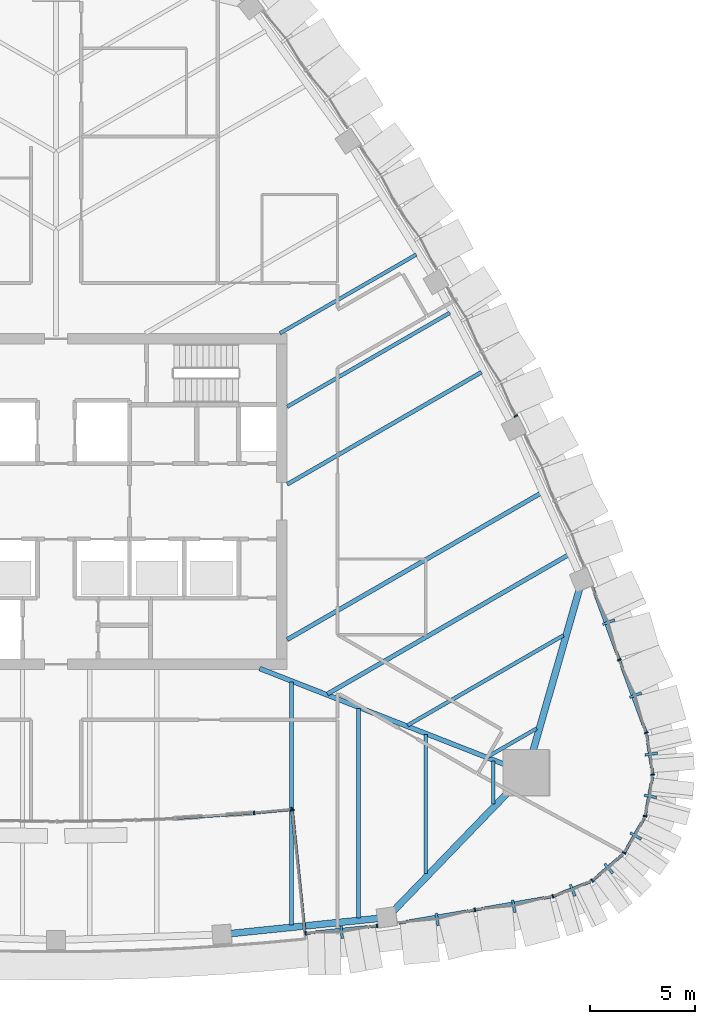
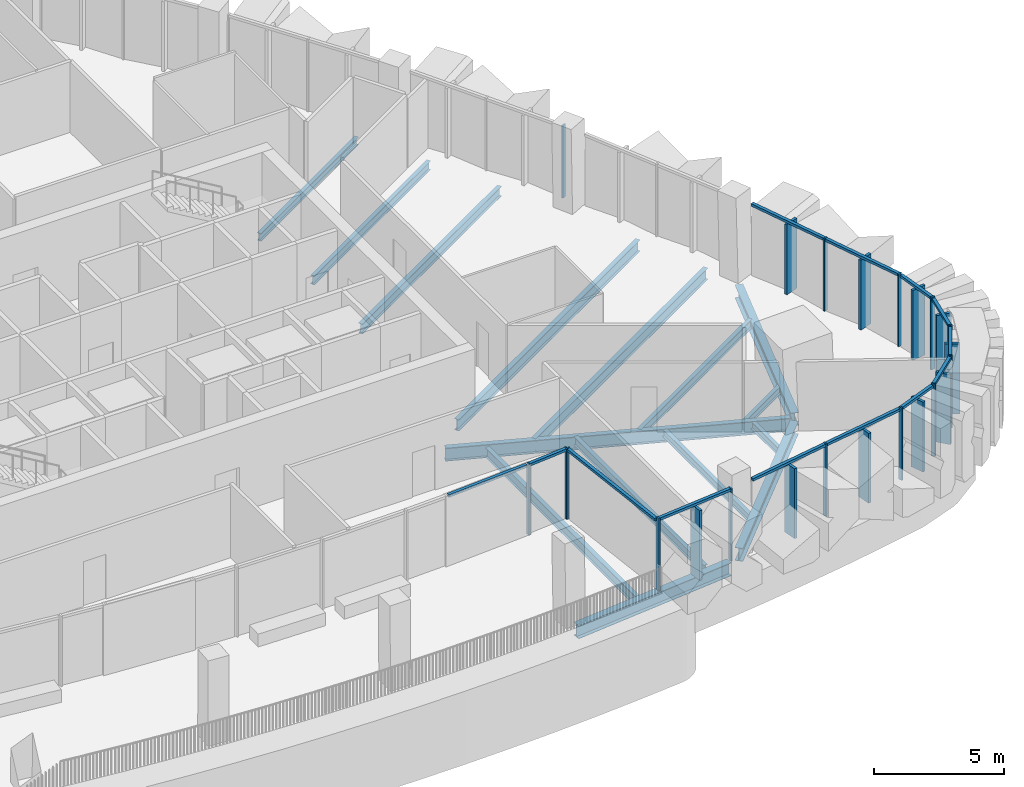
# One storey, part 4 of 22: 37 members, 15 beams, 12 elements without a shape of their own.
"""IFC4 building model written with IfcOpenShell, lengths in metres."""

from ifc_helpers import new_model, si_unit, direction, frame, origin, origin_2d, place, context, subcontext, project, spatial, rectangle, i_section, extrude, material, layer, layer_set, material_profile, profile_set, type_object, element, aggregate, save


model = new_model("IFC4")

# Units and contexts
model_context = context("Model", 3, precision=1e-05, world=origin(), true_north=direction((0.0, 1.0)))
body_context = subcontext(model_context, "Body", "Model", "MODEL_VIEW")
ifc_project = project(units=[si_unit("LENGTHUNIT", "METRE"), si_unit("AREAUNIT", "SQUARE_METRE"), si_unit("VOLUMEUNIT", "CUBIC_METRE"), si_unit("PLANEANGLEUNIT", "RADIAN"), si_unit("MASSUNIT", "GRAM", prefix="KILO")], contexts=[model_context])

# Site, building, storey
site_placement = place(None, origin())
site = spatial("IfcSite", under=ifc_project, at=site_placement, CompositionType="ELEMENT")
building_placement = place(site_placement, origin())
building = spatial("IfcBuilding", under=site, at=building_placement, Name="Sierra Prisma Convention Tower", CompositionType="ELEMENT")
storey_placement = place(building_placement, frame((0.0, 0.0, 227.0)))
storey = spatial("IfcBuildingStorey", under=building, at=storey_placement, Name="L50", CompositionType="ELEMENT", Elevation=227.0)

# Curtain wall, member
ifc_material_1 = material(Name="Aluminium and glass curtain wall", Category="aluminium")
ifc_layer_1 = layer(ifc_material_1, 0.179931640625)
ifc_layer_set_1 = layer_set([ifc_layer_1], Name="CW-2 Faceted crystal curtain wall")
curtain_wall_type_1 = type_object("IfcCurtainWallType", Name="CW-2 Faceted crystal curtain wall", PredefinedType="NOTDEFINED", material=ifc_layer_set_1)
curtain_wall_1_placement = place(storey_placement, origin())
curtain_wall_1 = element("IfcCurtainWall", 1, at=curtain_wall_1_placement, inside=storey, type_object=curtain_wall_type_1, Name="CW-2 S5b L50", PredefinedType="NOTDEFINED")
ifc_material_2 = material(Name="Aluminium 6063-T6 bronze anodised", Category="aluminium")
ifc_material_profile_1 = material_profile(ifc_material_2, rectangle(XDim=0.1201171875, YDim=0.60009765625, at=origin_2d()), Name="ALU RIDGE BLADE 120x600")
ifc_profile_set_1 = profile_set([ifc_material_profile_1], Name="Aluminium 6063-T6 bronze anodised")
member_type_1 = type_object("IfcMemberType", Name="CW hip bronze", PredefinedType="MULLION", material=ifc_profile_set_1)
member_1_placement = place(storey_placement, frame((13.594482421875, -20.52001953125, 0.0), z_axis=(0.0, 0.0, 1.0), x_axis=(0.994787924498, 0.10196560829, 0.0)))
member_1 = element("IfcMember", 2, at=member_1_placement, type_object=member_type_1, Name="CW-2 ridge S5b.1", PredefinedType="MULLION", context=body_context, shape_type="SweptSolid", body=[
    extrude(rectangle(XDim=0.1201171875, YDim=0.60009765625, at=origin_2d()), origin(), (0.0, 0.0, 1.0), 3.280029296875),
])

# Curtain wall, members
curtain_wall_2_placement = place(storey_placement, origin())
curtain_wall_2 = element("IfcCurtainWall", 3, at=curtain_wall_2_placement, inside=storey, type_object=curtain_wall_type_1, Name="CW-2 S6 L50", PredefinedType="NOTDEFINED")
member_2_placement = place(storey_placement, frame((18.136962890625, -19.9052734375, 0.0), z_axis=(0.0, 0.0, 1.0), x_axis=(0.985544380626, 0.169417454286, 0.0)))
member_2 = element("IfcMember", 4, at=member_2_placement, type_object=member_type_1, Name="CW-2 ridge S6.1", PredefinedType="MULLION", context=body_context, shape_type="SweptSolid", body=[
    extrude(rectangle(XDim=0.1201171875, YDim=0.60009765625, at=origin_2d()), origin(), (0.0, 0.0, 1.0), 3.280029296875),
])
member_3_placement = place(storey_placement, frame((21.787353515625, -19.27783203125, 0.0), z_axis=(0.0, 0.0, 1.0), x_axis=(0.985544380626, 0.169417454286, 0.0)))
member_3 = element("IfcMember", 5, at=member_3_placement, type_object=member_type_1, Name="CW-2 ridge S6.2", PredefinedType="MULLION", context=body_context, shape_type="SweptSolid", body=[
    extrude(rectangle(XDim=0.1201171875, YDim=0.60009765625, at=origin_2d()), origin(), (0.0, 0.0, 1.0), 3.280029296875),
])

# Curtain wall, member
curtain_wall_3_placement = place(storey_placement, origin())
curtain_wall_3 = element("IfcCurtainWall", 6, at=curtain_wall_3_placement, inside=storey, type_object=curtain_wall_type_1, Name="CW-2 SE1 L50", PredefinedType="NOTDEFINED")
member_4_placement = place(storey_placement, frame((24.58837890625, -18.518798828125, 0.0), z_axis=(0.0, 0.0, 1.0), x_axis=(0.931286211218, 0.364288337441, 0.0)))
member_4 = element("IfcMember", 7, at=member_4_placement, type_object=member_type_1, Name="CW-2 ridge SE1.1", PredefinedType="MULLION", context=body_context, shape_type="SweptSolid", body=[
    extrude(rectangle(XDim=0.1201171875, YDim=0.60009765625, at=origin_2d()), origin(), (0.0, 0.0, 1.0), 3.280029296875),
])

curtain_wall_4_placement = place(storey_placement, origin())
curtain_wall_4 = element("IfcCurtainWall", 8, at=curtain_wall_4_placement, inside=storey, type_object=curtain_wall_type_1, Name="CW-2 SE2 L50", PredefinedType="NOTDEFINED")
member_5_placement = place(storey_placement, frame((26.3125, -17.48193359375, 0.0), z_axis=(0.0, 0.0, 1.0), x_axis=(0.758340342821, 0.651858822484, 0.0)))
member_5 = element("IfcMember", 9, at=member_5_placement, type_object=member_type_1, Name="CW-2 ridge SE2.1", PredefinedType="MULLION", context=body_context, shape_type="SweptSolid", body=[
    extrude(rectangle(XDim=0.1201171875, YDim=0.60009765625, at=origin_2d()), origin(), (0.0, 0.0, 1.0), 3.280029296875),
])

curtain_wall_5_placement = place(storey_placement, origin())
curtain_wall_5 = element("IfcCurtainWall", 10, at=curtain_wall_5_placement, inside=storey, type_object=curtain_wall_type_1, Name="CW-2 SE3 L50", PredefinedType="NOTDEFINED")
member_6_placement = place(storey_placement, frame((27.5966796875, -15.932861328125, 0.0), z_axis=(0.0, 0.0, 1.0), x_axis=(0.5, 0.866025403784, 0.0)))
member_6 = element("IfcMember", 11, at=member_6_placement, type_object=member_type_1, Name="CW-2 ridge SE3.1", PredefinedType="MULLION", context=body_context, shape_type="SweptSolid", body=[
    extrude(rectangle(XDim=0.1201171875, YDim=0.60009765625, at=origin_2d()), origin(), (0.0, 0.0, 1.0), 3.280029296875),
])

curtain_wall_6_placement = place(storey_placement, origin())
curtain_wall_6 = element("IfcCurtainWall", 12, at=curtain_wall_6_placement, inside=storey, type_object=curtain_wall_type_1, Name="CW-2 SE4 L50", PredefinedType="NOTDEFINED")
member_7_placement = place(storey_placement, frame((28.2958984375, -14.04638671875, 0.0), z_axis=(0.0, 0.0, 1.0), x_axis=(0.185356128541, 0.98267141284, 0.0)))
member_7 = element("IfcMember", 13, at=member_7_placement, type_object=member_type_1, Name="CW-2 ridge SE4.1", PredefinedType="MULLION", context=body_context, shape_type="SweptSolid", body=[
    extrude(rectangle(XDim=0.1201171875, YDim=0.60009765625, at=origin_2d()), origin(), (0.0, 0.0, 1.0), 3.280029296875),
])

curtain_wall_7_placement = place(storey_placement, origin())
curtain_wall_7 = element("IfcCurtainWall", 14, at=curtain_wall_7_placement, inside=storey, type_object=curtain_wall_type_1, Name="CW-2 SE5 L50", PredefinedType="NOTDEFINED")
member_8_placement = place(storey_placement, frame((28.33203125, -12.03466796875, 0.0), z_axis=(0.0, 0.0, 1.0), x_axis=(-0.150160151083, 0.988661685829, 0.0)))
member_8 = element("IfcMember", 15, at=member_8_placement, type_object=member_type_1, Name="CW-2 ridge SE5.1", PredefinedType="MULLION", context=body_context, shape_type="SweptSolid", body=[
    extrude(rectangle(XDim=0.1201171875, YDim=0.60009765625, at=origin_2d()), origin(), (0.0, 0.0, 1.0), 3.280029296875),
])

# Curtain wall, members
curtain_wall_8_placement = place(storey_placement, origin())
curtain_wall_8 = element("IfcCurtainWall", 16, at=curtain_wall_8_placement, inside=storey, type_object=curtain_wall_type_1, Name="CW-2 NE1 L50", PredefinedType="NOTDEFINED")
member_9_placement = place(storey_placement, frame((27.5888671875, -9.2294921875, 0.0), z_axis=(0.0, 0.0, 1.0), x_axis=(-0.346052371057, 0.938215197322, 0.0)))
member_9 = element("IfcMember", 17, at=member_9_placement, type_object=member_type_1, Name="CW-2 ridge NE1.1", PredefinedType="MULLION", context=body_context, shape_type="SweptSolid", body=[
    extrude(rectangle(XDim=0.1201171875, YDim=0.60009765625, at=origin_2d()), origin(), (0.0, 0.0, 1.0), 3.280029296875),
])
member_10_placement = place(storey_placement, frame((26.30712890625, -5.75439453125, 0.0), z_axis=(0.0, 0.0, 1.0), x_axis=(-0.346052371057, 0.938215197322, 0.0)))
member_10 = element("IfcMember", 18, at=member_10_placement, type_object=member_type_1, Name="CW-2 ridge NE1.2", PredefinedType="MULLION", context=body_context, shape_type="SweptSolid", body=[
    extrude(rectangle(XDim=0.1201171875, YDim=0.60009765625, at=origin_2d()), origin(), (0.0, 0.0, 1.0), 3.280029296875),
])

# Member
ifc_material_3 = material(Name="Aluminium 6063-T6 bronze anodised", Category="aluminium")
ifc_material_profile_2 = material_profile(ifc_material_3, rectangle(XDim=0.179931640625, YDim=0.070068359375, at=origin_2d()), Name="ALU MULLION 70x180")
ifc_profile_set_2 = profile_set([ifc_material_profile_2], Name="Aluminium 6063-T6 bronze anodised")
member_type_2 = type_object("IfcMemberType", Name="CW mullion bronze", PredefinedType="MULLION", material=ifc_profile_set_2)
member_11_placement = place(storey_placement, frame((11.879150390625, -20.563232421875, 0.0), z_axis=(0.0, 0.0, 1.0), x_axis=(-0.10196560829, 0.994787924498, 0.0)))
member_11 = element("IfcMember", 19, at=member_11_placement, type_object=member_type_2, Name="CW-1 mullion S5b.1", PredefinedType="MULLION", context=body_context, shape_type="SweptSolid", body=[
    extrude(rectangle(XDim=0.179931640625, YDim=0.070068359375, at=origin_2d()), origin(), (0.0, 0.0, 1.0), 3.39990234375),
])

member_12_placement = place(storey_placement, frame((15.283203125, -20.21435546875, 0.0), z_axis=(0.0, 0.0, 1.0), x_axis=(-0.10196560829, 0.994787924498, 0.0)))
member_12 = element("IfcMember", 20, at=member_12_placement, type_object=member_type_2, Name="CW-1 mullion S5b.2", PredefinedType="MULLION", context=body_context, shape_type="SweptSolid", body=[
    extrude(rectangle(XDim=0.179931640625, YDim=0.070068359375, at=origin_2d()), origin(), (0.0, 0.0, 1.0), 3.39990234375),
])

member_13_placement = place(storey_placement, frame((19.93798828125, -19.45068359375, 0.0), z_axis=(0.0, 0.0, 1.0), x_axis=(-0.169417454286, 0.985544380626, 0.0)))
member_13 = element("IfcMember", 21, at=member_13_placement, type_object=member_type_2, Name="CW-1 mullion S6.2", PredefinedType="MULLION", context=body_context, shape_type="SweptSolid", body=[
    extrude(rectangle(XDim=0.179931640625, YDim=0.070068359375, at=origin_2d()), origin(), (0.0, 0.0, 1.0), 3.39990234375),
])

member_14_placement = place(storey_placement, frame((23.6552734375, -18.804443359375, 0.0), z_axis=(0.0, 0.0, 1.0), x_axis=(-0.364288337441, 0.931286211218, 0.0)))
member_14 = element("IfcMember", 22, at=member_14_placement, type_object=member_type_2, Name="CW-1 mullion SE1.1", PredefinedType="MULLION", context=body_context, shape_type="SweptSolid", body=[
    extrude(rectangle(XDim=0.179931640625, YDim=0.070068359375, at=origin_2d()), origin(), (0.0, 0.0, 1.0), 3.39990234375),
])

member_15_placement = place(storey_placement, frame((25.526611328125, -18.06005859375, 0.0), z_axis=(0.0, 0.0, 1.0), x_axis=(-0.651858822484, 0.758340342821, 0.0)))
member_15 = element("IfcMember", 23, at=member_15_placement, type_object=member_type_2, Name="CW-1 mullion SE2.1", PredefinedType="MULLION", context=body_context, shape_type="SweptSolid", body=[
    extrude(rectangle(XDim=0.179931640625, YDim=0.070068359375, at=origin_2d()), origin(), (0.0, 0.0, 1.0), 3.39990234375),
])

member_16_placement = place(storey_placement, frame((27.046142578125, -16.738525390625, 0.0), z_axis=(0.0, 0.0, 1.0), x_axis=(-0.866025403784, 0.5, 0.0)))
member_16 = element("IfcMember", 24, at=member_16_placement, type_object=member_type_2, Name="CW-1 mullion SE3.1", PredefinedType="MULLION", context=body_context, shape_type="SweptSolid", body=[
    extrude(rectangle(XDim=0.179931640625, YDim=0.070068359375, at=origin_2d()), origin(), (0.0, 0.0, 1.0), 3.39990234375),
])

member_17_placement = place(storey_placement, frame((28.043212890625, -14.98876953125, 0.0), z_axis=(0.0, 0.0, 1.0), x_axis=(-0.98267141284, 0.185356128541, 0.0)))
member_17 = element("IfcMember", 25, at=member_17_placement, type_object=member_type_2, Name="CW-1 mullion SE4.1", PredefinedType="MULLION", context=body_context, shape_type="SweptSolid", body=[
    extrude(rectangle(XDim=0.179931640625, YDim=0.070068359375, at=origin_2d()), origin(), (0.0, 0.0, 1.0), 3.39990234375),
])

member_18_placement = place(storey_placement, frame((28.405029296875, -13.007568359375, 0.0), z_axis=(0.0, 0.0, 1.0), x_axis=(-0.988661685829, -0.150160151083, 0.0)))
member_18 = element("IfcMember", 26, at=member_18_placement, type_object=member_type_2, Name="CW-1 mullion SE5.1", PredefinedType="MULLION", context=body_context, shape_type="SweptSolid", body=[
    extrude(rectangle(XDim=0.179931640625, YDim=0.070068359375, at=origin_2d()), origin(), (0.0, 0.0, 1.0), 3.39990234375),
])

member_19_placement = place(storey_placement, frame((28.095458984375, -11.016357421875, 0.0), z_axis=(0.0, 0.0, 1.0), x_axis=(-0.938215197322, -0.346052371057, 0.0)))
member_19 = element("IfcMember", 27, at=member_19_placement, type_object=member_type_2, Name="CW-1 mullion NE1.1", PredefinedType="MULLION", context=body_context, shape_type="SweptSolid", body=[
    extrude(rectangle(XDim=0.179931640625, YDim=0.070068359375, at=origin_2d()), origin(), (0.0, 0.0, 1.0), 3.39990234375),
])

member_20_placement = place(storey_placement, frame((26.813720703125, -7.54150390625, 0.0), z_axis=(0.0, 0.0, 1.0), x_axis=(-0.938215197322, -0.346052371057, 0.0)))
member_20 = element("IfcMember", 28, at=member_20_placement, type_object=member_type_2, Name="CW-1 mullion NE1.2", PredefinedType="MULLION", context=body_context, shape_type="SweptSolid", body=[
    extrude(rectangle(XDim=0.179931640625, YDim=0.070068359375, at=origin_2d()), origin(), (0.0, 0.0, 1.0), 3.39990234375),
])

# Curtain wall, member
curtain_wall_9_placement = place(storey_placement, origin())
curtain_wall_9 = element("IfcCurtainWall", 29, at=curtain_wall_9_placement, inside=storey, type_object=curtain_wall_type_1, Name="CW-2 NE3 L50", PredefinedType="NOTDEFINED")
member_21_placement = place(storey_placement, frame((21.88720703125, 4.0615234375, 0.0), z_axis=(0.0, 0.0, 1.0), x_axis=(-0.882544049725, -0.470229731402, 0.0)))
member_21 = element("IfcMember", 30, at=member_21_placement, type_object=member_type_2, Name="CW-1 mullion NE3.1", PredefinedType="MULLION", context=body_context, shape_type="SweptSolid", body=[
    extrude(rectangle(XDim=0.179931640625, YDim=0.070068359375, at=origin_2d()), origin(), (0.0, 0.0, 1.0), 3.39990234375),
])
aggregate(curtain_wall_9, [member_21])

# Curtain wall, members
ifc_material_4 = material(Name="Aluminium and glass curtain wall", Category="aluminium")
ifc_layer_2 = layer(ifc_material_4, 0.179931640625)
ifc_layer_set_2 = layer_set([ifc_layer_2], Name="CW-6 Terrace recess curtain wall")
curtain_wall_type_2 = type_object("IfcCurtainWallType", Name="CW-6 Terrace recess curtain wall", PredefinedType="NOTDEFINED", material=ifc_layer_set_2)
curtain_wall_10_placement = place(storey_placement, origin())
curtain_wall_10 = element("IfcCurtainWall", 31, at=curtain_wall_10_placement, inside=storey, type_object=curtain_wall_type_2, Name="CW-6 R38 L50", PredefinedType="NOTDEFINED")
member_22_placement = place(storey_placement, frame((9.42431640625, -14.835205078125, 0.0), z_axis=(0.0, 0.0, 1.0), x_axis=(-0.093494454075, 0.995619800455, 0.0)))
member_22 = element("IfcMember", 32, at=member_22_placement, type_object=member_type_2, Name="CW-6 mullion R38.1", PredefinedType="MULLION", context=body_context, shape_type="SweptSolid", body=[
    extrude(rectangle(XDim=0.179931640625, YDim=0.070068359375, at=origin_2d()), origin(), (0.0, 0.0, 1.0), 3.340087890625),
])
member_23_placement = place(storey_placement, frame((11.20458984375, -14.66796875, 0.0), z_axis=(0.0, 0.0, 1.0), x_axis=(-0.093494454075, 0.995619800455, 0.0)))
member_23 = element("IfcMember", 33, at=member_23_placement, type_object=member_type_2, Name="CW-6 mullion R38.2", PredefinedType="MULLION", context=body_context, shape_type="SweptSolid", body=[
    extrude(rectangle(XDim=0.179931640625, YDim=0.070068359375, at=origin_2d()), origin(), (0.0, 0.0, 1.0), 3.340087890625),
])

# Curtain wall, member
curtain_wall_11_placement = place(storey_placement, origin())
curtain_wall_11 = element("IfcCurtainWall", 34, at=curtain_wall_11_placement, inside=storey, type_object=curtain_wall_type_2, Name="CW-6 RT2 L50", PredefinedType="NOTDEFINED")
member_24_placement = place(storey_placement, frame((11.242919921875, -14.69970703125, 0.0), z_axis=(0.0, 0.0, 1.0), x_axis=(0.994787924498, 0.10196560829, 0.0)))
member_24 = element("IfcMember", 35, at=member_24_placement, type_object=member_type_2, Name="CW-6 mullion RT2.1", PredefinedType="MULLION", context=body_context, shape_type="SweptSolid", body=[
    extrude(rectangle(XDim=0.179931640625, YDim=0.070068359375, at=origin_2d()), origin(), (0.0, 0.0, 1.0), 3.340087890625),
])

# Member
ifc_material_5 = material(Name="Aluminium 6063-T6 bronze anodised", Category="aluminium")
ifc_material_profile_3 = material_profile(ifc_material_5, rectangle(XDim=0.139892578125, YDim=0.1201171875, at=origin_2d()), Name="ALU TRANSOM 120x140")
ifc_profile_set_3 = profile_set([ifc_material_profile_3], Name="Aluminium 6063-T6 bronze anodised")
member_type_3 = type_object("IfcMemberType", Name="CW transom bronze", PredefinedType="USERDEFINED", material=ifc_profile_set_3)
member_25_placement = place(storey_placement, frame((11.9140625, -20.5595703125, 3.340087890625), z_axis=(0.994786745117, 0.1019771138, 0.0), x_axis=(-0.1019771138, 0.994786745117, 0.0)))
member_25 = element("IfcMember", 36, at=member_25_placement, type_object=member_type_3, Name="CW-1 transom S5b.1", ObjectType="TRANSOM", PredefinedType="USERDEFINED", context=body_context, shape_type="SweptSolid", body=[
    extrude(rectangle(XDim=0.139892578125, YDim=0.1201171875, at=origin_2d()), origin(), (0.0, 0.0, 1.0), 3.351806640625),
])

aggregate(curtain_wall_1, [member_11, member_12, member_25, member_1])

member_26_placement = place(storey_placement, frame((16.322021484375, -20.072265625, 3.340087890625), z_axis=(0.985540302146, 0.169441178132, 0.0), x_axis=(-0.169441178132, 0.985540302146, 0.0)))
member_26 = element("IfcMember", 37, at=member_26_placement, type_object=member_type_3, Name="CW-1 transom S6.1", ObjectType="TRANSOM", PredefinedType="USERDEFINED", context=body_context, shape_type="SweptSolid", body=[
    extrude(rectangle(XDim=0.139892578125, YDim=0.1201171875, at=origin_2d()), origin(), (0.0, 0.0, 1.0), 3.6337890625),
])

member_27_placement = place(storey_placement, frame((19.972412109375, -19.44482421875, 3.340087890625), z_axis=(0.985540302146, 0.169441178132, 0.0), x_axis=(-0.169441178132, 0.985540302146, 0.0)))
member_27 = element("IfcMember", 38, at=member_27_placement, type_object=member_type_3, Name="CW-1 transom S6.2", ObjectType="TRANSOM", PredefinedType="USERDEFINED", context=body_context, shape_type="SweptSolid", body=[
    extrude(rectangle(XDim=0.139892578125, YDim=0.1201171875, at=origin_2d()), origin(), (0.0, 0.0, 1.0), 3.6337890625),
])

aggregate(curtain_wall_2, [member_13, member_26, member_2, member_27, member_3])

member_28_placement = place(storey_placement, frame((23.68798828125, -18.791748046875, 3.340087890625), z_axis=(0.93127734195, 0.364311010499, 0.0), x_axis=(-0.364311010499, 0.93127734195, 0.0)))
member_28 = element("IfcMember", 39, at=member_28_placement, type_object=member_type_3, Name="CW-1 transom SE1.1", ObjectType="TRANSOM", PredefinedType="USERDEFINED", context=body_context, shape_type="SweptSolid", body=[
    extrude(rectangle(XDim=0.139892578125, YDim=0.1201171875, at=origin_2d()), origin(), (0.0, 0.0, 1.0), 1.875732421875),
])

aggregate(curtain_wall_3, [member_14, member_28, member_4])

member_29_placement = place(storey_placement, frame((25.55322265625, -18.037353515625, 3.340087890625), z_axis=(0.758272696505, 0.651937510606, 0.0), x_axis=(-0.651937510606, 0.758272696505, 0.0)))
member_29 = element("IfcMember", 40, at=member_29_placement, type_object=member_type_3, Name="CW-1 transom SE2.1", ObjectType="TRANSOM", PredefinedType="USERDEFINED", context=body_context, shape_type="SweptSolid", body=[
    extrude(rectangle(XDim=0.139892578125, YDim=0.1201171875, at=origin_2d()), origin(), (0.0, 0.0, 1.0), 1.875732421875),
])

aggregate(curtain_wall_4, [member_15, member_29, member_5])

member_30_placement = place(storey_placement, frame((27.063720703125, -16.708251953125, 3.340087890625), z_axis=(0.500030386964, 0.866007859152, 0.0), x_axis=(-0.866007859152, 0.500030386964, 0.0)))
member_30 = element("IfcMember", 41, at=member_30_placement, type_object=member_type_3, Name="CW-1 transom SE3.1", ObjectType="TRANSOM", PredefinedType="USERDEFINED", context=body_context, shape_type="SweptSolid", body=[
    extrude(rectangle(XDim=0.139892578125, YDim=0.1201171875, at=origin_2d()), origin(), (0.0, 0.0, 1.0), 1.8759765625),
])

aggregate(curtain_wall_5, [member_16, member_30, member_6])

member_31_placement = place(storey_placement, frame((28.049560546875, -14.954345703125, 3.340087890625), z_axis=(0.185341461115, 0.982674179366, 0.0), x_axis=(-0.982674179366, 0.185341461115, 0.0)))
member_31 = element("IfcMember", 42, at=member_31_placement, type_object=member_type_3, Name="CW-1 transom SE4.1", ObjectType="TRANSOM", PredefinedType="USERDEFINED", context=body_context, shape_type="SweptSolid", body=[
    extrude(rectangle(XDim=0.139892578125, YDim=0.1201171875, at=origin_2d()), origin(), (0.0, 0.0, 1.0), 1.875732421875),
])

aggregate(curtain_wall_6, [member_17, member_31, member_7])

member_32_placement = place(storey_placement, frame((28.399658203125, -12.97314453125, 3.340087890625), z_axis=(-0.150052104507, 0.988678090145, 0.0), x_axis=(-0.988678090145, -0.150052104507, 0.0)))
member_32 = element("IfcMember", 43, at=member_32_placement, type_object=member_type_3, Name="CW-1 transom SE5.1", ObjectType="TRANSOM", PredefinedType="USERDEFINED", context=body_context, shape_type="SweptSolid", body=[
    extrude(rectangle(XDim=0.139892578125, YDim=0.1201171875, at=origin_2d()), origin(), (0.0, 0.0, 1.0), 1.8759765625),
])

aggregate(curtain_wall_7, [member_18, member_32, member_8])

member_33_placement = place(storey_placement, frame((28.083251953125, -10.983642578125, 3.340087890625), z_axis=(-0.346001118124, 0.938234099922, 0.0), x_axis=(-0.938234099922, -0.346001118124, 0.0)))
member_33 = element("IfcMember", 44, at=member_33_placement, type_object=member_type_3, Name="CW-1 transom NE1.1", ObjectType="TRANSOM", PredefinedType="USERDEFINED", context=body_context, shape_type="SweptSolid", body=[
    extrude(rectangle(XDim=0.139892578125, YDim=0.1201171875, at=origin_2d()), origin(), (0.0, 0.0, 1.0), 3.6337890625),
])

member_34_placement = place(storey_placement, frame((26.801513671875, -7.508544921875, 3.340087890625), z_axis=(-0.346001118124, 0.938234099922, 0.0), x_axis=(-0.938234099922, -0.346001118124, 0.0)))
member_34 = element("IfcMember", 45, at=member_34_placement, type_object=member_type_3, Name="CW-1 transom NE1.2", ObjectType="TRANSOM", PredefinedType="USERDEFINED", context=body_context, shape_type="SweptSolid", body=[
    extrude(rectangle(XDim=0.139892578125, YDim=0.1201171875, at=origin_2d()), origin(), (0.0, 0.0, 1.0), 3.6337890625),
])

aggregate(curtain_wall_8, [member_19, member_20, member_33, member_9, member_34, member_10])

# Curtain wall, member
curtain_wall_12_placement = place(storey_placement, origin())
curtain_wall_12 = element("IfcCurtainWall", 46, at=curtain_wall_12_placement, inside=storey, type_object=curtain_wall_type_2, Name="CW-6 R37 L50", PredefinedType="NOTDEFINED")
member_35_placement = place(storey_placement, frame((5.7080078125, -15.089599609375, 3.280029296875), z_axis=(0.99768192392, 0.068049825001, 0.0), x_axis=(-0.068049825001, 0.99768192392, 0.0)))
member_35 = element("IfcMember", 47, at=member_35_placement, type_object=member_type_3, Name="CW-6 transom R37.1", ObjectType="TRANSOM", PredefinedType="USERDEFINED", context=body_context, shape_type="SweptSolid", body=[
    extrude(rectangle(XDim=0.139892578125, YDim=0.1201171875, at=origin_2d()), origin(), (0.0, 0.0, 1.0), 3.619873046875),
])
aggregate(curtain_wall_12, [member_35])

# Member
member_36_placement = place(storey_placement, frame((9.459228515625, -14.83203125, 3.280029296875), z_axis=(0.99561852907, 0.093507992025, 0.0), x_axis=(-0.093507992025, 0.99561852907, 0.0)))
member_36 = element("IfcMember", 48, at=member_36_placement, type_object=member_type_3, Name="CW-6 transom R38.1", ObjectType="TRANSOM", PredefinedType="USERDEFINED", context=body_context, shape_type="SweptSolid", body=[
    extrude(rectangle(XDim=0.139892578125, YDim=0.1201171875, at=origin_2d()), origin(), (0.0, 0.0, 1.0), 1.718017578125),
])

aggregate(curtain_wall_10, [member_22, member_23, member_36])

member_37_placement = place(storey_placement, frame((11.24658203125, -14.734375, 3.280029296875), z_axis=(0.101948660866, -0.99478966146, 0.0), x_axis=(0.99478966146, 0.101948660866, 0.0)))
member_37 = element("IfcMember", 49, at=member_37_placement, type_object=member_type_3, Name="CW-6 transom RT2.1", ObjectType="TRANSOM", PredefinedType="USERDEFINED", context=body_context, shape_type="SweptSolid", body=[
    extrude(rectangle(XDim=0.139892578125, YDim=0.1201171875, at=origin_2d()), origin(), (0.0, 0.0, 1.0), 5.79296875),
])

aggregate(curtain_wall_11, [member_24, member_37])

# Beams
ifc_material_6 = material(Name="Steel ASTM A992 Gr 50", Category="steel")
ifc_material_profile_4 = material_profile(ifc_material_6, i_section(OverallWidth=0.172119140625, OverallDepth=0.35791015625, WebThickness=0.0078125, FlangeThickness=0.01318359375, at=origin_2d()), Name="W360x57")
ifc_profile_set_4 = profile_set([ifc_material_profile_4], Name="Steel ASTM A992 Gr 50")
beam_type_1 = type_object("IfcBeamType", Name="Floor joist W360x57", PredefinedType="JOIST", material=ifc_profile_set_4)
beam_1_placement = place(storey_placement, frame((17.603271484375, -17.722900390625, -0.3291015625), z_axis=(0.0, 1.0, 0.0), x_axis=(-1.0, 0.0, 0.0)))
element("IfcBeam", 50, at=beam_1_placement, inside=storey, type_object=beam_type_1, Name="Floor joist L50 S13", PredefinedType="JOIST", context=body_context, shape_type="SweptSolid", body=[
    extrude(i_section(OverallWidth=0.172119140625, OverallDepth=0.35791015625, WebThickness=0.0078125, FlangeThickness=0.01318359375, at=origin_2d()), origin(), (0.0, 0.0, 1.0), 6.6181640625),
])
beam_2_placement = place(storey_placement, frame((20.8037109375, -14.408447265625, -0.3291015625), z_axis=(0.0, 1.0, 0.0), x_axis=(-1.0, 0.0, 0.0)))
element("IfcBeam", 51, at=beam_2_placement, inside=storey, type_object=beam_type_1, Name="Floor joist L50 S14", PredefinedType="JOIST", context=body_context, shape_type="SweptSolid", body=[
    extrude(i_section(OverallWidth=0.172119140625, OverallDepth=0.35791015625, WebThickness=0.0078125, FlangeThickness=0.01318359375, at=origin_2d()), origin(), (0.0, 0.0, 1.0), 2.050537109375),
])
beam_3_placement = place(storey_placement, frame((22.8798828125, -10.8125, -0.3291015625), z_axis=(-0.866019505967, -0.500010215181, 0.0), x_axis=(0.500010215181, -0.866019505967, 0.0)))
element("IfcBeam", 52, at=beam_3_placement, inside=storey, type_object=beam_type_1, Name="Floor joist L50 NE01", PredefinedType="JOIST", context=body_context, shape_type="SweptSolid", body=[
    extrude(i_section(OverallWidth=0.172119140625, OverallDepth=0.35791015625, WebThickness=0.0078125, FlangeThickness=0.01318359375, at=origin_2d()), origin(), (0.0, 0.0, 1.0), 2.69287109375),
])
beam_4_placement = place(storey_placement, frame((17.145263671875, 11.74658203125, -0.3291015625), z_axis=(-0.866033127857, -0.499986621275, 0.0), x_axis=(0.499986621275, -0.866033127857, 0.0)))
element("IfcBeam", 53, at=beam_4_placement, inside=storey, type_object=beam_type_1, Name="Floor joist L50 NE08", PredefinedType="JOIST", context=body_context, shape_type="SweptSolid", body=[
    extrude(i_section(OverallWidth=0.172119140625, OverallDepth=0.35791015625, WebThickness=0.0078125, FlangeThickness=0.01318359375, at=origin_2d()), origin(), (0.0, 0.0, 1.0), 7.493408203125),
])
ifc_material_7 = material(Name="Steel ASTM A992 Gr 50", Category="steel")
ifc_material_profile_5 = material_profile(ifc_material_7, i_section(OverallWidth=0.177978515625, OverallDepth=0.406982421875, WebThickness=0.0078125, FlangeThickness=0.0126953125, at=origin_2d()), Name="W410x60")
ifc_profile_set_5 = profile_set([ifc_material_profile_5], Name="Steel ASTM A992 Gr 50")
beam_type_2 = type_object("IfcBeamType", Name="Floor joist W410x60", PredefinedType="JOIST", material=ifc_profile_set_5)
beam_5_placement = place(storey_placement, frame((14.402587890625, -19.839599609375, -0.353515625), z_axis=(0.0, 1.0, 0.0), x_axis=(-1.0, 0.0, 0.0)))
element("IfcBeam", 54, at=beam_5_placement, inside=storey, type_object=beam_type_2, Name="Floor joist L50 S12", PredefinedType="JOIST", context=body_context, shape_type="SweptSolid", body=[
    extrude(i_section(OverallWidth=0.177978515625, OverallDepth=0.406982421875, WebThickness=0.0078125, FlangeThickness=0.0126953125, at=origin_2d()), origin(), (0.0, 0.0, 1.0), 9.988037109375),
])
beam_6_placement = place(storey_placement, frame((24.150146484375, -6.38330078125, -0.353515625), z_axis=(-0.866029401122, -0.499993076345, 0.0), x_axis=(0.499993076345, -0.866029401122, 0.0)))
element("IfcBeam", 55, at=beam_6_placement, inside=storey, type_object=beam_type_2, Name="Floor joist L50 NE02", PredefinedType="JOIST", context=body_context, shape_type="SweptSolid", body=[
    extrude(i_section(OverallWidth=0.177978515625, OverallDepth=0.406982421875, WebThickness=0.0078125, FlangeThickness=0.0126953125, at=origin_2d()), origin(), (0.0, 0.0, 1.0), 8.56396484375),
])
beam_7_placement = place(storey_placement, frame((18.745361328125, 8.974853515625, -0.353515625), z_axis=(-0.866018752341, -0.500011520461, 0.0), x_axis=(0.500011520461, -0.866018752341, 0.0)))
element("IfcBeam", 56, at=beam_7_placement, inside=storey, type_object=beam_type_2, Name="Floor joist L50 NE07", PredefinedType="JOIST", context=body_context, shape_type="SweptSolid", body=[
    extrude(i_section(OverallWidth=0.177978515625, OverallDepth=0.406982421875, WebThickness=0.0078125, FlangeThickness=0.0126953125, at=origin_2d()), origin(), (0.0, 0.0, 1.0), 8.943603515625),
])
ifc_material_8 = material(Name="Steel ASTM A992 Gr 50", Category="steel")
ifc_material_profile_6 = material_profile(ifc_material_8, i_section(OverallWidth=0.18994140625, OverallDepth=0.45703125, WebThickness=0.009033203125, FlangeThickness=0.014404296875, at=origin_2d()), Name="W460x74")
ifc_profile_set_6 = profile_set([ifc_material_profile_6], Name="Steel ASTM A992 Gr 50")
beam_type_3 = type_object("IfcBeamType", Name="Floor joist W460x74", PredefinedType="JOIST", material=ifc_profile_set_6)
beam_8_placement = place(storey_placement, frame((11.2021484375, -20.167724609375, -0.528564453125), z_axis=(0.0, 1.0, 0.0), x_axis=(-1.0, 0.0, 0.0)))
element("IfcBeam", 57, at=beam_8_placement, inside=storey, type_object=beam_type_3, Name="Floor joist L50 S11", PredefinedType="JOIST", context=body_context, shape_type="SweptSolid", body=[
    extrude(i_section(OverallWidth=0.18994140625, OverallDepth=0.45703125, WebThickness=0.009033203125, FlangeThickness=0.014404296875, at=origin_2d()), origin(), (0.0, 0.0, 1.0), 11.5693359375),
])
beam_9_placement = place(storey_placement, frame((20.251220703125, 6.1484375, -0.37841796875), z_axis=(-0.866030685915, -0.499990850969, 0.0), x_axis=(0.499990850969, -0.866030685915, 0.0)))
element("IfcBeam", 58, at=beam_9_placement, inside=storey, type_object=beam_type_3, Name="Floor joist L50 NE06", PredefinedType="JOIST", context=body_context, shape_type="SweptSolid", body=[
    extrude(i_section(OverallWidth=0.18994140625, OverallDepth=0.45703125, WebThickness=0.009033203125, FlangeThickness=0.014404296875, at=origin_2d()), origin(), (0.0, 0.0, 1.0), 10.682373046875),
])
ifc_material_9 = material(Name="Steel ASTM A992 Gr 50", Category="steel")
ifc_material_profile_7 = material_profile(ifc_material_9, i_section(OverallWidth=0.208984375, OverallDepth=0.532958984375, WebThickness=0.01025390625, FlangeThickness=0.015625, at=origin_2d()), Name="W530x92")
ifc_profile_set_7 = profile_set([ifc_material_profile_7], Name="Steel ASTM A992 Gr 50")
beam_type_4 = type_object("IfcBeamType", Name="Floor joist W530x92", PredefinedType="JOIST", material=ifc_profile_set_7)
beam_10_placement = place(storey_placement, frame((24.3828125, -2.55322265625, -0.41650390625), z_axis=(-0.866021265955, -0.500007166863, 0.0), x_axis=(0.500007166863, -0.866021265955, 0.0)))
element("IfcBeam", 59, at=beam_10_placement, inside=storey, type_object=beam_type_4, Name="Floor joist L50 NE03", PredefinedType="JOIST", context=body_context, shape_type="SweptSolid", body=[
    extrude(i_section(OverallWidth=0.208984375, OverallDepth=0.532958984375, WebThickness=0.01025390625, FlangeThickness=0.015625, at=origin_2d()), origin(), (0.0, 0.0, 1.0), 13.237060546875),
])
beam_11_placement = place(storey_placement, frame((23.066650390625, 0.382568359375, -0.41650390625), z_axis=(-0.866021891294, -0.500006083763, 0.0), x_axis=(0.500006083763, -0.866021891294, 0.0)))
element("IfcBeam", 60, at=beam_11_placement, inside=storey, type_object=beam_type_4, Name="Floor joist L50 NE04", PredefinedType="JOIST", context=body_context, shape_type="SweptSolid", body=[
    extrude(i_section(OverallWidth=0.208984375, OverallDepth=0.532958984375, WebThickness=0.01025390625, FlangeThickness=0.015625, at=origin_2d()), origin(), (0.0, 0.0, 1.0), 13.933349609375),
])
ifc_material_10 = material(Name="Steel ASTM A992 Gr 50", Category="steel")
ifc_material_profile_8 = material_profile(ifc_material_10, i_section(OverallWidth=0.22998046875, OverallDepth=0.616943359375, WebThickness=0.01318359375, FlangeThickness=0.022216796875, at=origin_2d()), Name="W610x140")
ifc_profile_set_8 = profile_set([ifc_material_profile_8], Name="Steel ASTM A992 Gr 50")
beam_type_5 = type_object("IfcBeamType", Name="Radial girder W610x140", PredefinedType="BEAM", material=ifc_profile_set_8)
beam_12_placement = place(storey_placement, frame((22.18408203125, -12.848876953125, -0.45849609375), z_axis=(-0.931169482082, 0.364586609244, 0.0), x_axis=(-0.364586609244, -0.931169482082, 0.0)))
element("IfcBeam", 61, at=beam_12_placement, inside=storey, type_object=beam_type_5, Name="Radial girder L50 SE", PredefinedType="BEAM", context=body_context, shape_type="SweptSolid", body=[
    extrude(i_section(OverallWidth=0.22998046875, OverallDepth=0.616943359375, WebThickness=0.01318359375, FlangeThickness=0.022216796875, at=origin_2d()), origin(), (0.0, 0.0, 1.0), 13.41943359375),
])
ifc_material_11 = material(Name="Steel ASTM A992 Gr 50", Category="steel")
ifc_material_profile_9 = material_profile(ifc_material_11, i_section(OverallWidth=0.324951171875, OverallDepth=0.615966796875, WebThickness=0.013916015625, FlangeThickness=0.021484375, at=origin_2d()), Name="W610x174")
ifc_profile_set_9 = profile_set([ifc_material_profile_9], Name="Steel ASTM A992 Gr 50")
beam_type_6 = type_object("IfcBeamType", Name="Spandrel beam W610x174", PredefinedType="BEAM", material=ifc_profile_set_9)
beam_13_placement = place(storey_placement, frame((8.227783203125, -20.5859375, -0.60791015625), z_axis=(0.994785472713, 0.101989525341, 0.0), x_axis=(-0.101989525341, 0.994785472713, 0.0)))
element("IfcBeam", 62, at=beam_13_placement, inside=storey, type_object=beam_type_6, Name="Spandrel L50-05", PredefinedType="BEAM", context=body_context, shape_type="SweptSolid", body=[
    extrude(i_section(OverallWidth=0.324951171875, OverallDepth=0.615966796875, WebThickness=0.013916015625, FlangeThickness=0.021484375, at=origin_2d()), origin(), (0.0, 0.0, 1.0), 7.24365234375),
])
beam_14_placement = place(storey_placement, frame((16.076416015625, -19.488037109375, -0.4580078125), z_axis=(0.694630146283, 0.719367055038, 0.0), x_axis=(-0.719367055038, 0.694630146283, 0.0)))
element("IfcBeam", 63, at=beam_14_placement, inside=storey, type_object=beam_type_6, Name="Spandrel L50-06", PredefinedType="BEAM", context=body_context, shape_type="SweptSolid", body=[
    extrude(i_section(OverallWidth=0.324951171875, OverallDepth=0.615966796875, WebThickness=0.013916015625, FlangeThickness=0.021484375, at=origin_2d()), origin(), (0.0, 0.0, 1.0), 8.803466796875),
])
beam_15_placement = place(storey_placement, frame((22.46728515625, -12.715087890625, -0.4580078125), z_axis=(0.275661427462, 0.961254793179, 0.0), x_axis=(-0.961254793179, 0.275661427462, 0.0)))
element("IfcBeam", 64, at=beam_15_placement, inside=storey, type_object=beam_type_6, Name="Spandrel L50-07", PredefinedType="BEAM", context=body_context, shape_type="SweptSolid", body=[
    extrude(i_section(OverallWidth=0.324951171875, OverallDepth=0.615966796875, WebThickness=0.013916015625, FlangeThickness=0.021484375, at=origin_2d()), origin(), (0.0, 0.0, 1.0), 8.88037109375),
])

save(model, "model.ifc")
